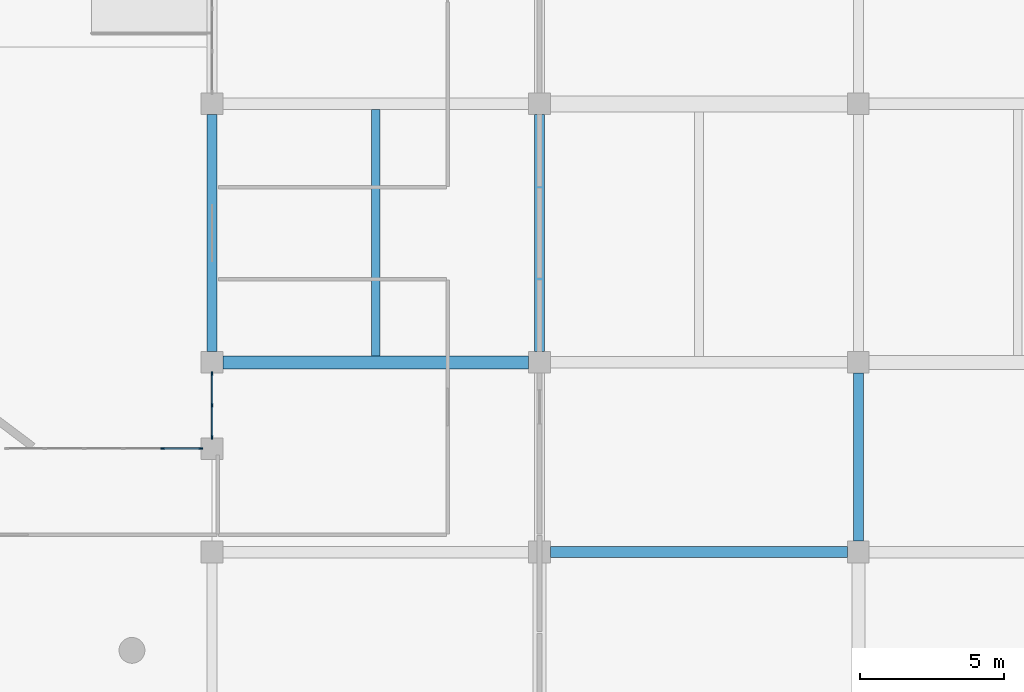
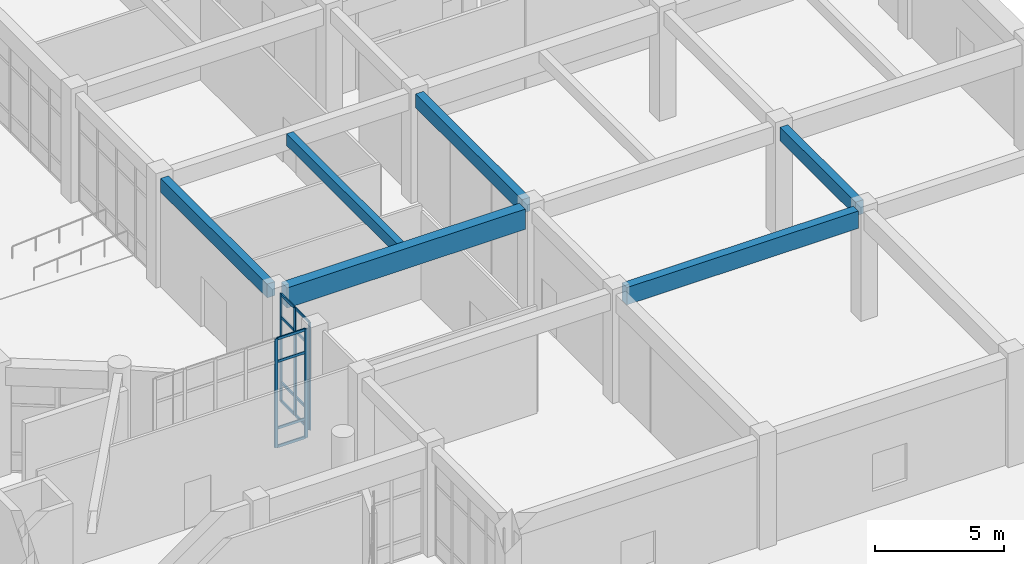
# One storey, part 26 of 70: 17 members, 6 beams, 2 elements without a shape of their own.
"""IFC4 building model written with IfcOpenShell, lengths in metres."""

from ifc_helpers import new_model, si_unit, direction, frame, origin, origin_2d, place, context, subcontext, project, spatial, rectangle, extrude, material, layer, layer_set, material_profile, profile_set, type_object, element, aggregate, save


model = new_model("IFC4")

# Units and contexts
model_context = context("Model", 3, precision=1e-05, world=origin(), true_north=direction((0.0, 1.0)))
body_context = subcontext(model_context, "Body", "Model", "MODEL_VIEW")
ifc_project = project(units=[si_unit("LENGTHUNIT", "METRE"), si_unit("AREAUNIT", "SQUARE_METRE"), si_unit("VOLUMEUNIT", "CUBIC_METRE"), si_unit("PLANEANGLEUNIT", "RADIAN"), si_unit("MASSUNIT", "GRAM", prefix="KILO")], contexts=[model_context])

# Site, building, storey
site_placement = place(None, origin())
site = spatial("IfcSite", under=ifc_project, at=site_placement, CompositionType="ELEMENT")
building_placement = place(site_placement, origin())
building = spatial("IfcBuilding", under=site, at=building_placement, Name="Miralva Faculty of Natural Sciences", CompositionType="ELEMENT")
storey_placement = place(building_placement, origin())
storey = spatial("IfcBuildingStorey", under=building, at=storey_placement, Name="L00", CompositionType="ELEMENT", Elevation=0.0)

# Beams
ifc_material_1 = material(Name="Concrete C40/50", Category="concrete")
ifc_material_profile_1 = material_profile(ifc_material_1, rectangle(XDim=0.35009765625, YDim=0.64990234375, at=origin_2d()), Name="RC 350x650")
ifc_profile_set_1 = profile_set([ifc_material_profile_1], Name="Concrete C40/50")
beam_type_1 = type_object("IfcBeamType", Name="BM-B05", PredefinedType="BEAM", material=ifc_profile_set_1)
for number, where, z_axis, x_axis, name in (
    (1, (133.800048828125, 30.375, 4.794921875), (0.0, 1.0, 0.0), (-1.0, 0.0, 0.0), "Girder NS L00-177"),
    (2, (145.199951171875, 30.375, 4.794921875), (0.0, 1.0, 0.0), (-1.0, 0.0, 0.0), "Girder NS L00-189"),
):
    element("IfcBeam", number, at=place(storey_placement, frame(where, z_axis=z_axis, x_axis=x_axis)), inside=storey, type_object=beam_type_1, Name=name, PredefinedType="BEAM", context=body_context, shape_type="SweptSolid", body=[
        extrude(rectangle(XDim=0.35009765625, YDim=0.64990234375, at=origin_2d()), origin(), (0.0, 0.0, 1.0), 8.25),
    ])
beam_1_placement = place(storey_placement, frame((156.300048828125, 23.77490234375, 4.794921875), z_axis=(0.0, 1.0, 0.0), x_axis=(-1.0, 0.0, 0.0)))
element("IfcBeam", 3, at=beam_1_placement, inside=storey, type_object=beam_type_1, Name="Girder NS L00-200", PredefinedType="BEAM", context=body_context, shape_type="SweptSolid", body=[
    extrude(rectangle(XDim=0.35009765625, YDim=0.64990234375, at=origin_2d()), origin(), (0.0, 0.0, 1.0), 5.85009765625),
])
ifc_material_profile_2 = material_profile(ifc_material_1, rectangle(XDim=0.3798828125, YDim=0.820068359375, at=origin_2d()), Name="RC 380x820")
ifc_profile_set_2 = profile_set([ifc_material_profile_2], Name="Concrete C40/50")
beam_type_2 = type_object("IfcBeamType", Name="BM-BG08", PredefinedType="BEAM", material=ifc_profile_set_2)
beam_2_placement = place(storey_placement, frame((145.574951171875, 23.39990234375, 4.7099609375), z_axis=(1.0, 0.0, 0.0), x_axis=(0.0, 1.0, 0.0)))
element("IfcBeam", 4, at=beam_2_placement, inside=storey, type_object=beam_type_2, Name="Girder EW L00-29", PredefinedType="BEAM", context=body_context, shape_type="SweptSolid", body=[
    extrude(rectangle(XDim=0.3798828125, YDim=0.820068359375, at=origin_2d()), origin(), (0.0, 0.0, 1.0), 10.35009765625),
])
ifc_material_profile_3 = material_profile(ifc_material_1, rectangle(XDim=0.4599609375, YDim=0.9599609375, at=origin_2d()), Name="RC 460x960")
ifc_profile_set_3 = profile_set([ifc_material_profile_3], Name="Concrete C40/50")
beam_type_3 = type_object("IfcBeamType", Name="BM-BG16", PredefinedType="BEAM", material=ifc_profile_set_3)
beam_3_placement = place(storey_placement, frame((134.175048828125, 30.0, 4.639892578125), z_axis=(1.0, 0.0, 0.0), x_axis=(0.0, 1.0, 0.0)))
element("IfcBeam", 5, at=beam_3_placement, inside=storey, type_object=beam_type_3, Name="Girder EW L00-37", PredefinedType="BEAM", context=body_context, shape_type="SweptSolid", body=[
    extrude(rectangle(XDim=0.4599609375, YDim=0.9599609375, at=origin_2d()), origin(), (0.0, 0.0, 1.0), 10.64990234375),
])
ifc_material_profile_4 = material_profile(ifc_material_1, rectangle(XDim=0.300048828125, YDim=0.550048828125, at=origin_2d()), Name="RC 300x550")
ifc_profile_set_4 = profile_set([ifc_material_profile_4], Name="Concrete C40/50")
beam_type_4 = type_object("IfcBeamType", Name="BM-J02", PredefinedType="JOIST", material=ifc_profile_set_4)
beam_4_placement = place(storey_placement, frame((139.5, 30.22998046875, 4.844970703125), z_axis=(0.0, 1.0, 0.0), x_axis=(-1.0, 0.0, 0.0)))
element("IfcBeam", 6, at=beam_4_placement, inside=storey, type_object=beam_type_4, Name="Floor joist L00-9", PredefinedType="JOIST", context=body_context, shape_type="SweptSolid", body=[
    extrude(rectangle(XDim=0.300048828125, YDim=0.550048828125, at=origin_2d()), origin(), (0.0, 0.0, 1.0), 8.570068359375),
])

# Curtain wall, members
ifc_material_2 = material(Name="Laminated solar-control glass", Category="glass")
ifc_layer_1 = layer(ifc_material_2, 0.179931640625, Name="CW-COM-L00")
ifc_layer_set_1 = layer_set([ifc_layer_1], Name="Laminated solar-control glass")
curtain_wall_type_1 = type_object("IfcCurtainWallType", Name="CW-COM-L00", PredefinedType="USERDEFINED", material=ifc_layer_set_1)
curtain_wall_1_placement = place(storey_placement, origin())
curtain_wall_1 = element("IfcCurtainWall", 7, at=curtain_wall_1_placement, inside=storey, type_object=curtain_wall_type_1, Name="Curtain wall CW-09 L00-256", ObjectType="UNITISED CURTAIN WALL", PredefinedType="USERDEFINED")
ifc_material_3 = material(Name="Anodised aluminium", Category="aluminium")
ifc_material_profile_5 = material_profile(ifc_material_3, rectangle(XDim=0.06005859375, YDim=0.139892578125, at=origin_2d()), Name="MULLION 60x140")
ifc_profile_set_5 = profile_set([ifc_material_profile_5], Name="Anodised aluminium")
member_type_1 = type_object("IfcMemberType", Name="CW-M03", PredefinedType="MULLION", material=ifc_profile_set_5)
member_1_placement = place(storey_placement, frame((133.800048828125, 27.39501953125, 0.0), z_axis=(0.0, 0.0, 1.0), x_axis=(-1.0, 0.0, 0.0)))
member_1 = element("IfcMember", 8, at=member_1_placement, type_object=member_type_1, Name="CW-09 mullion 1", PredefinedType="MULLION", context=body_context, shape_type="SweptSolid", body=[
    extrude(rectangle(XDim=0.06005859375, YDim=0.139892578125, at=origin_2d()), origin(), (0.0, 0.0, 1.0), 5.10009765625),
])
member_2_placement = place(storey_placement, frame((133.800048828125, 28.5, 0.0), z_axis=(0.0, 0.0, 1.0), x_axis=(-1.0, 0.0, 0.0)))
member_2 = element("IfcMember", 9, at=member_2_placement, type_object=member_type_1, Name="CW-09 mullion 2", PredefinedType="MULLION", context=body_context, shape_type="SweptSolid", body=[
    extrude(rectangle(XDim=0.06005859375, YDim=0.139892578125, at=origin_2d()), origin(), (0.0, 0.0, 1.0), 5.10009765625),
])
member_3_placement = place(storey_placement, frame((133.800048828125, 29.60498046875, 0.0), z_axis=(0.0, 0.0, 1.0), x_axis=(-1.0, 0.0, 0.0)))
member_3 = element("IfcMember", 10, at=member_3_placement, type_object=member_type_1, Name="CW-09 mullion 3", PredefinedType="MULLION", context=body_context, shape_type="SweptSolid", body=[
    extrude(rectangle(XDim=0.06005859375, YDim=0.139892578125, at=origin_2d()), origin(), (0.0, 0.0, 1.0), 5.10009765625),
])

ifc_layer_2 = layer(ifc_material_2, 0.179931640625, Name="CW-COM-L01")
ifc_layer_set_2 = layer_set([ifc_layer_2], Name="Laminated solar-control glass")
curtain_wall_type_2 = type_object("IfcCurtainWallType", Name="CW-COM-L01", PredefinedType="USERDEFINED", material=ifc_layer_set_2)
curtain_wall_2_placement = place(storey_placement, origin())
curtain_wall_2 = element("IfcCurtainWall", 11, at=curtain_wall_2_placement, inside=storey, type_object=curtain_wall_type_2, Name="Curtain wall CW-10 L00-287", ObjectType="UNITISED CURTAIN WALL", PredefinedType="USERDEFINED")
member_4_placement = place(storey_placement, frame((132.080078125, 27.0, 0.0), z_axis=(0.0, 0.0, 1.0), x_axis=(0.0, 1.0, 0.0)))
member_4 = element("IfcMember", 12, at=member_4_placement, type_object=member_type_1, Name="CW-10 mullion 5", PredefinedType="MULLION", context=body_context, shape_type="SweptSolid", body=[
    extrude(rectangle(XDim=0.06005859375, YDim=0.139892578125, at=origin_2d()), origin(), (0.0, 0.0, 1.0), 5.14990234375),
])
member_5_placement = place(storey_placement, frame((133.4150390625, 27.0, 0.0), z_axis=(0.0, 0.0, 1.0), x_axis=(0.0, 1.0, 0.0)))
member_5 = element("IfcMember", 13, at=member_5_placement, type_object=member_type_1, Name="CW-10 mullion 6", PredefinedType="MULLION", context=body_context, shape_type="SweptSolid", body=[
    extrude(rectangle(XDim=0.06005859375, YDim=0.139892578125, at=origin_2d()), origin(), (0.0, 0.0, 1.0), 5.14990234375),
])

# Member
ifc_material_profile_6 = material_profile(ifc_material_3, rectangle(XDim=0.06005859375, YDim=0.1201171875, at=origin_2d()), Name="TRANSOM 60x120")
ifc_profile_set_6 = profile_set([ifc_material_profile_6], Name="Anodised aluminium")
member_type_2 = type_object("IfcMemberType", Name="CW-T02", PredefinedType="USERDEFINED", material=ifc_profile_set_6)
member_6_placement = place(storey_placement, frame((133.800048828125, 27.425048828125, 0.030029296875), z_axis=(0.0, 1.0, 0.0), x_axis=(-1.0, 0.0, 0.0)))
member_6 = element("IfcMember", 14, at=member_6_placement, type_object=member_type_2, Name="CW-09 transom 1.1", ObjectType="TRANSOM", PredefinedType="USERDEFINED", context=body_context, shape_type="SweptSolid", body=[
    extrude(rectangle(XDim=0.06005859375, YDim=0.1201171875, at=origin_2d()), origin(), (0.0, 0.0, 1.0), 1.044921875),
])

member_7_placement = place(storey_placement, frame((133.800048828125, 27.425048828125, 0.89990234375), z_axis=(0.0, 1.0, 0.0), x_axis=(-1.0, 0.0, 0.0)))
member_7 = element("IfcMember", 15, at=member_7_placement, type_object=member_type_2, Name="CW-09 transom 1.2", ObjectType="TRANSOM", PredefinedType="USERDEFINED", context=body_context, shape_type="SweptSolid", body=[
    extrude(rectangle(XDim=0.06005859375, YDim=0.1201171875, at=origin_2d()), origin(), (0.0, 0.0, 1.0), 1.044921875),
])

member_8_placement = place(storey_placement, frame((133.800048828125, 27.425048828125, 4.0), z_axis=(0.0, 1.0, 0.0), x_axis=(-1.0, 0.0, 0.0)))
member_8 = element("IfcMember", 16, at=member_8_placement, type_object=member_type_2, Name="CW-09 transom 1.3", ObjectType="TRANSOM", PredefinedType="USERDEFINED", context=body_context, shape_type="SweptSolid", body=[
    extrude(rectangle(XDim=0.06005859375, YDim=0.1201171875, at=origin_2d()), origin(), (0.0, 0.0, 1.0), 1.044921875),
])

member_9_placement = place(storey_placement, frame((133.800048828125, 27.425048828125, 5.070068359375), z_axis=(0.0, 1.0, 0.0), x_axis=(-1.0, 0.0, 0.0)))
member_9 = element("IfcMember", 17, at=member_9_placement, type_object=member_type_2, Name="CW-09 transom 1.4", ObjectType="TRANSOM", PredefinedType="USERDEFINED", context=body_context, shape_type="SweptSolid", body=[
    extrude(rectangle(XDim=0.06005859375, YDim=0.1201171875, at=origin_2d()), origin(), (0.0, 0.0, 1.0), 1.044921875),
])

member_10_placement = place(storey_placement, frame((133.800048828125, 28.530029296875, 0.030029296875), z_axis=(0.0, 1.0, 0.0), x_axis=(-1.0, 0.0, 0.0)))
member_10 = element("IfcMember", 18, at=member_10_placement, type_object=member_type_2, Name="CW-09 transom 2.1", ObjectType="TRANSOM", PredefinedType="USERDEFINED", context=body_context, shape_type="SweptSolid", body=[
    extrude(rectangle(XDim=0.06005859375, YDim=0.1201171875, at=origin_2d()), origin(), (0.0, 0.0, 1.0), 1.044921875),
])

member_11_placement = place(storey_placement, frame((133.800048828125, 28.530029296875, 0.89990234375), z_axis=(0.0, 1.0, 0.0), x_axis=(-1.0, 0.0, 0.0)))
member_11 = element("IfcMember", 19, at=member_11_placement, type_object=member_type_2, Name="CW-09 transom 2.2", ObjectType="TRANSOM", PredefinedType="USERDEFINED", context=body_context, shape_type="SweptSolid", body=[
    extrude(rectangle(XDim=0.06005859375, YDim=0.1201171875, at=origin_2d()), origin(), (0.0, 0.0, 1.0), 1.044921875),
])

member_12_placement = place(storey_placement, frame((133.800048828125, 28.530029296875, 4.0), z_axis=(0.0, 1.0, 0.0), x_axis=(-1.0, 0.0, 0.0)))
member_12 = element("IfcMember", 20, at=member_12_placement, type_object=member_type_2, Name="CW-09 transom 2.3", ObjectType="TRANSOM", PredefinedType="USERDEFINED", context=body_context, shape_type="SweptSolid", body=[
    extrude(rectangle(XDim=0.06005859375, YDim=0.1201171875, at=origin_2d()), origin(), (0.0, 0.0, 1.0), 1.044921875),
])

member_13_placement = place(storey_placement, frame((133.800048828125, 28.530029296875, 5.070068359375), z_axis=(0.0, 1.0, 0.0), x_axis=(-1.0, 0.0, 0.0)))
member_13 = element("IfcMember", 21, at=member_13_placement, type_object=member_type_2, Name="CW-09 transom 2.4", ObjectType="TRANSOM", PredefinedType="USERDEFINED", context=body_context, shape_type="SweptSolid", body=[
    extrude(rectangle(XDim=0.06005859375, YDim=0.1201171875, at=origin_2d()), origin(), (0.0, 0.0, 1.0), 1.044921875),
])

aggregate(curtain_wall_1, [member_1, member_2, member_3, member_6, member_7, member_8, member_9, member_10, member_11, member_12, member_13])

member_14_placement = place(storey_placement, frame((132.110107421875, 27.0, 0.030029296875), z_axis=(1.0, 0.0, 0.0), x_axis=(0.0, 1.0, 0.0)))
member_14 = element("IfcMember", 22, at=member_14_placement, type_object=member_type_2, Name="CW-10 transom 5.1", ObjectType="TRANSOM", PredefinedType="USERDEFINED", context=body_context, shape_type="SweptSolid", body=[
    extrude(rectangle(XDim=0.06005859375, YDim=0.1201171875, at=origin_2d()), origin(), (0.0, 0.0, 1.0), 1.27490234375),
])

member_15_placement = place(storey_placement, frame((132.110107421875, 27.0, 0.89990234375), z_axis=(1.0, 0.0, 0.0), x_axis=(0.0, 1.0, 0.0)))
member_15 = element("IfcMember", 23, at=member_15_placement, type_object=member_type_2, Name="CW-10 transom 5.2", ObjectType="TRANSOM", PredefinedType="USERDEFINED", context=body_context, shape_type="SweptSolid", body=[
    extrude(rectangle(XDim=0.06005859375, YDim=0.1201171875, at=origin_2d()), origin(), (0.0, 0.0, 1.0), 1.27490234375),
])

member_16_placement = place(storey_placement, frame((132.110107421875, 27.0, 4.050048828125), z_axis=(1.0, 0.0, 0.0), x_axis=(0.0, 1.0, 0.0)))
member_16 = element("IfcMember", 24, at=member_16_placement, type_object=member_type_2, Name="CW-10 transom 5.3", ObjectType="TRANSOM", PredefinedType="USERDEFINED", context=body_context, shape_type="SweptSolid", body=[
    extrude(rectangle(XDim=0.06005859375, YDim=0.1201171875, at=origin_2d()), origin(), (0.0, 0.0, 1.0), 1.27490234375),
])

member_17_placement = place(storey_placement, frame((132.110107421875, 27.0, 5.1201171875), z_axis=(1.0, 0.0, 0.0), x_axis=(0.0, 1.0, 0.0)))
member_17 = element("IfcMember", 25, at=member_17_placement, type_object=member_type_2, Name="CW-10 transom 5.4", ObjectType="TRANSOM", PredefinedType="USERDEFINED", context=body_context, shape_type="SweptSolid", body=[
    extrude(rectangle(XDim=0.06005859375, YDim=0.1201171875, at=origin_2d()), origin(), (0.0, 0.0, 1.0), 1.27490234375),
])

aggregate(curtain_wall_2, [member_4, member_5, member_14, member_15, member_16, member_17])

save(model, "model.ifc")
